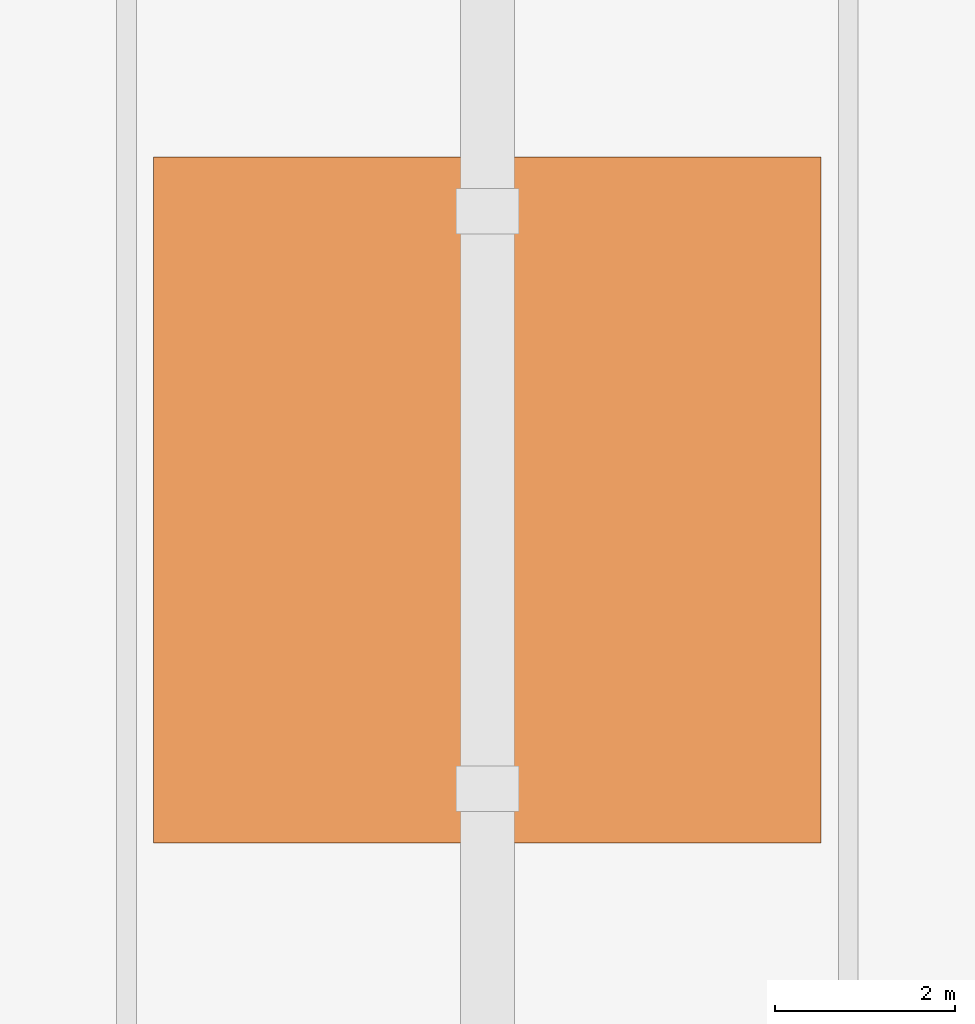
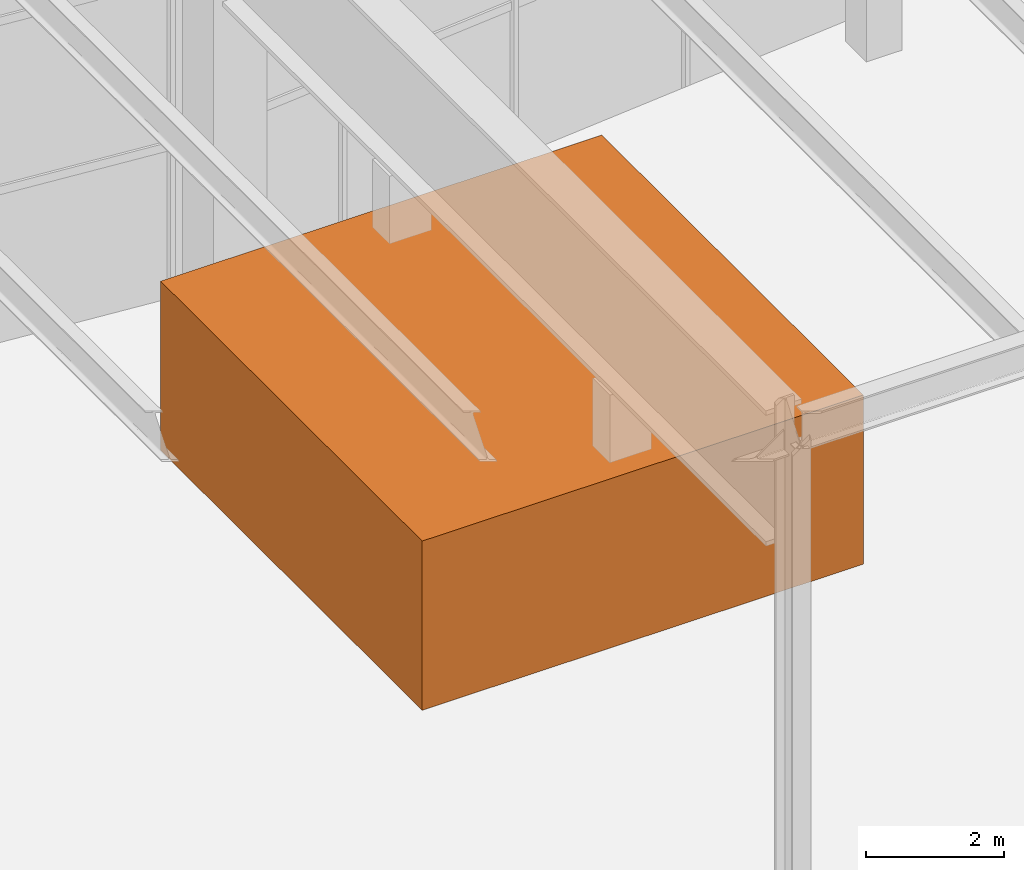
# One storey, part 16 of 16: 1 proxy.
"""IFC4 building model written with IfcOpenShell, lengths in metres."""

from ifc_helpers import new_model, si_unit, direction, frame, origin, origin_2d, place, context, subcontext, project, spatial, rectangle, extrude, material, type_object, element, save


model = new_model("IFC4")

# Units and contexts
model_context = context("Model", 3, precision=1e-05, world=origin(), true_north=direction((0.0, 1.0)))
body_context = subcontext(model_context, "Body", "Model", "MODEL_VIEW")
ifc_project = project(units=[si_unit("LENGTHUNIT", "METRE"), si_unit("AREAUNIT", "SQUARE_METRE"), si_unit("VOLUMEUNIT", "CUBIC_METRE"), si_unit("PLANEANGLEUNIT", "RADIAN"), si_unit("MASSUNIT", "GRAM", prefix="KILO")], contexts=[model_context])

# Site, building, storey
site_placement = place(None, origin())
site = spatial("IfcSite", under=ifc_project, at=site_placement, CompositionType="ELEMENT")
building_placement = place(site_placement, origin())
building = spatial("IfcBuilding", under=site, at=building_placement, Name="Verdant Reach Tower", CompositionType="ELEMENT")
storey_placement = place(building_placement, frame((0.0, 0.0, 340.5)))
storey = spatial("IfcBuildingStorey", under=building, at=storey_placement, Name="L78 Damper", CompositionType="ELEMENT", Elevation=340.5)

# Proxy
ifc_material = material(Name="Steel S460", Category="steel")
building_element_proxy_type = type_object("IfcBuildingElementProxyType", Name="ST-DMP-MASS", PredefinedType="NOTDEFINED", material=ifc_material)
proxy_placement = place(storey_placement, frame((0.0, 57.656005859375, 2.25), z_axis=(0.0, 0.0, 1.0), x_axis=(1.0, 0.0, 0.0)))
element("IfcBuildingElementProxy", 1, at=proxy_placement, inside=storey, type_object=building_element_proxy_type, Name="Tuned mass damper", PredefinedType="NOTDEFINED", context=body_context, shape_type="SweptSolid", body=[
    extrude(rectangle(XDim=7.39990234375, YDim=7.60009765625, at=origin_2d()), origin(), (0.0, 0.0, 1.0), 3.0),
])

save(model, "model.ifc")
